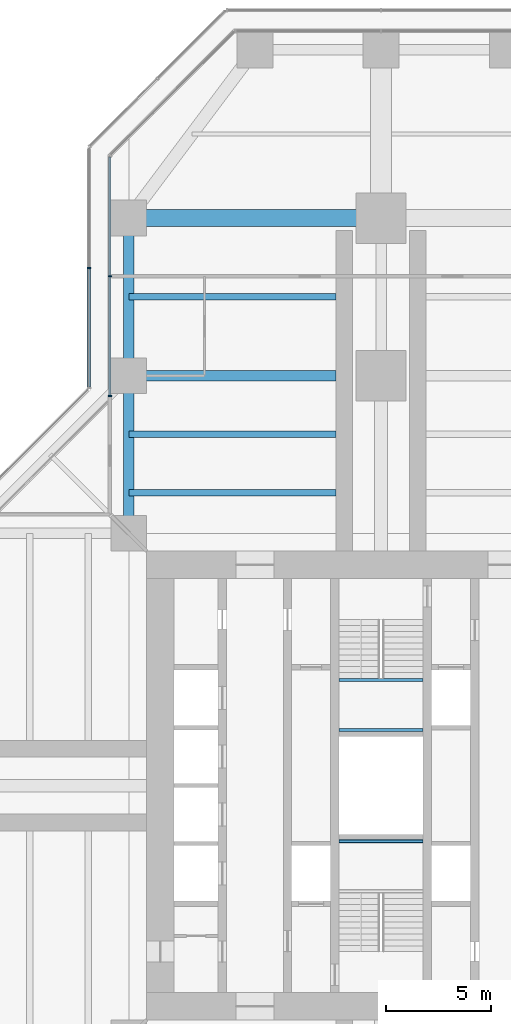
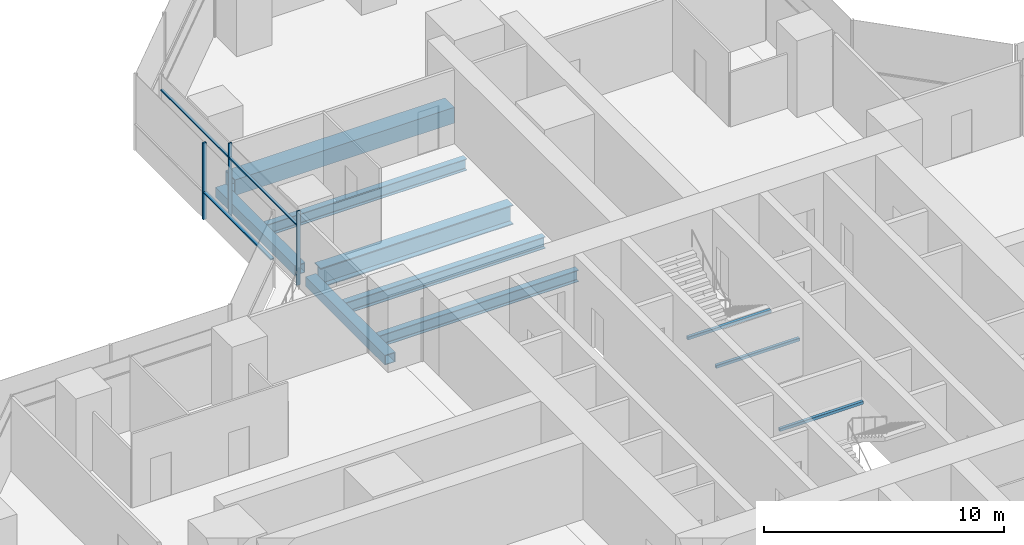
# One storey, part 9 of 22: 10 beams, 6 members, 2 elements without a shape of their own.
"""IFC4 building model written with IfcOpenShell, lengths in metres."""

from ifc_helpers import new_model, si_unit, direction, frame, origin, origin_2d, place, context, subcontext, project, spatial, rectangle, hollow_rectangle, i_section, extrude, material, material_profile, profile_set, type_object, element, aggregate, save


model = new_model("IFC4")

# Units and contexts
model_context = context("Model", 3, precision=1e-05, world=origin(), true_north=direction((0.0, 1.0)))
body_context = subcontext(model_context, "Body", "Model", "MODEL_VIEW")
ifc_project = project(units=[si_unit("LENGTHUNIT", "METRE"), si_unit("AREAUNIT", "SQUARE_METRE"), si_unit("VOLUMEUNIT", "CUBIC_METRE"), si_unit("PLANEANGLEUNIT", "RADIAN"), si_unit("MASSUNIT", "GRAM", prefix="KILO")], contexts=[model_context])

# Site, building, storey
site_placement = place(None, origin())
site = spatial("IfcSite", under=ifc_project, at=site_placement, CompositionType="ELEMENT")
building_placement = place(site_placement, origin())
building = spatial("IfcBuilding", under=site, at=building_placement, Name="Mizan Broadcast Tower", CompositionType="ELEMENT")
storey_placement = place(building_placement, frame((0.0, 0.0, 82.5)))
storey = spatial("IfcBuildingStorey", under=building, at=storey_placement, Name="L17", CompositionType="ELEMENT", Elevation=82.5)

# Beams
ifc_material_1 = material(Name="Steel S355", Category="steel")
ifc_material_profile_1 = material_profile(ifc_material_1, hollow_rectangle(XDim=0.5, YDim=0.5, WallThickness=0.030029296875, at=origin_2d()), Name="BOX 500x500x30")
ifc_profile_set_1 = profile_set([ifc_material_profile_1], Name="Steel S355")
beam_type_1 = type_object("IfcBeamType", Name="EDGE BEAM BOX 500x500x30", PredefinedType="SPANDREL", material=ifc_profile_set_1)
for number, where, z_axis, x_axis, name in (
    (1, (-12.0, 12.449951171875, -0.3798828125), (0.0, 1.0, 0.0), (-1.0, 0.0, 0.0), "Edge beam BOX 500x500x30 L17 north arm"),
    (2, (-12.0, 19.949951171875, -0.3798828125), (0.0, 1.0, 0.0), (-1.0, 0.0, 0.0), "Edge beam BOX 500x500x30 L17 north arm"),
):
    element("IfcBeam", number, at=place(storey_placement, frame(where, z_axis=z_axis, x_axis=x_axis)), inside=storey, type_object=beam_type_1, Name=name, PredefinedType="SPANDREL", context=body_context, shape_type="SweptSolid", body=[
        extrude(hollow_rectangle(XDim=0.5, YDim=0.5, WallThickness=0.030029296875, at=origin_2d()), origin(), (0.0, 0.0, 1.0), 6.60009765625),
    ])
ifc_material_2 = material(Name="Steel S460", Category="steel")
ifc_material_profile_2 = material_profile(ifc_material_2, hollow_rectangle(XDim=0.800048828125, YDim=0.800048828125, WallThickness=0.050048828125, at=origin_2d()), Name="BOX 800x800x50")
ifc_profile_set_2 = profile_set([ifc_material_profile_2], Name="Steel S460")
beam_type_2 = type_object("IfcBeamType", Name="GIRDER BOX 800x800x50", PredefinedType="BEAM", material=ifc_profile_set_2)
beam_1_placement = place(storey_placement, frame((-11.280029296875, 27.0, -0.530029296875), z_axis=(1.0, 0.0, 0.0), x_axis=(0.0, 1.0, 0.0)))
element("IfcBeam", 3, at=beam_1_placement, inside=storey, type_object=beam_type_2, Name="Girder BOX 800x800x50 L17 north arm", PredefinedType="BEAM", context=body_context, shape_type="SweptSolid", body=[
    extrude(hollow_rectangle(XDim=0.800048828125, YDim=0.800048828125, WallThickness=0.050048828125, at=origin_2d()), origin(), (0.0, 0.0, 1.0), 10.56005859375),
])
ifc_material_3 = material(Name="Steel S460", Category="steel")
ifc_material_profile_3 = material_profile(ifc_material_3, i_section(OverallWidth=0.5, OverallDepth=1.0, WebThickness=0.02490234375, FlangeThickness=0.050048828125, at=origin_2d()), Name="WPG 1000x500")
ifc_profile_set_3 = profile_set([ifc_material_profile_3], Name="Steel S460")
beam_type_3 = type_object("IfcBeamType", Name="GIRDER WPG 1000x500", PredefinedType="BEAM", material=ifc_profile_set_3)
beam_2_placement = place(storey_placement, frame((-11.408935546875, 19.5, -0.6298828125), z_axis=(1.0, 0.0, 0.0), x_axis=(0.0, 1.0, 0.0)))
element("IfcBeam", 4, at=beam_2_placement, inside=storey, type_object=beam_type_3, Name="Girder WPG 1000x500 L17 north arm", PredefinedType="BEAM", context=body_context, shape_type="SweptSolid", body=[
    extrude(i_section(OverallWidth=0.5, OverallDepth=1.0, WebThickness=0.02490234375, FlangeThickness=0.050048828125, at=origin_2d()), origin(), (0.0, 0.0, 1.0), 9.259033203125),
])

# Curtain wall, members
ifc_material_4 = material(Name="Aluminium framed glazing", Category="aluminium")
curtain_wall_type_1 = type_object("IfcCurtainWallType", Name="INNER SKIN LOW ZONE", PredefinedType="USERDEFINED", material=ifc_material_4)
curtain_wall_1_placement = place(storey_placement, origin())
curtain_wall_1 = element("IfcCurtainWall", 5, at=curtain_wall_1_placement, inside=storey, type_object=curtain_wall_type_1, Name="Inner skin low zone L17 N side", ObjectType="INNER SKIN LOW ZONE", PredefinedType="USERDEFINED")
ifc_material_5 = material(Name="Aluminium, pale anodised", Category="aluminium")
ifc_material_profile_4 = material_profile(ifc_material_5, rectangle(XDim=0.159912109375, YDim=0.06005859375, at=origin_2d()), Name="MULLION 160x60")
ifc_profile_set_4 = profile_set([ifc_material_profile_4], Name="Aluminium, pale anodised")
member_type_1 = type_object("IfcMemberType", Name="INNER SKIN MULLION 60x160", PredefinedType="MULLION", material=ifc_profile_set_4)
member_1_placement = place(storey_placement, frame((-12.89990234375, 24.229248046875, 0.0), z_axis=(0.0, 0.0, 1.0), x_axis=(1.0, 0.0, 0.0)))
member_1 = element("IfcMember", 6, at=member_1_placement, type_object=member_type_1, Name="Inner skin low zone L17 N side mullion 2", PredefinedType="MULLION", context=body_context, shape_type="SweptSolid", body=[
    extrude(rectangle(XDim=0.159912109375, YDim=0.06005859375, at=origin_2d()), origin(), (0.0, 0.0, 1.0), 3.77001953125),
])
member_2_placement = place(storey_placement, frame((-12.89990234375, 18.530029296875, 0.0), z_axis=(0.0, 0.0, 1.0), x_axis=(1.0, 0.0, 0.0)))
member_2 = element("IfcMember", 7, at=member_2_placement, type_object=member_type_1, Name="Inner skin low zone L17 N side mullion 3", PredefinedType="MULLION", context=body_context, shape_type="SweptSolid", body=[
    extrude(rectangle(XDim=0.159912109375, YDim=0.06005859375, at=origin_2d()), origin(), (0.0, 0.0, 1.0), 3.77001953125),
])
ifc_material_6 = material(Name="Aluminium, pale anodised", Category="aluminium")
ifc_material_profile_5 = material_profile(ifc_material_6, rectangle(XDim=0.1201171875, YDim=0.06005859375, at=origin_2d()), Name="TRANSOM 120x60")
ifc_profile_set_5 = profile_set([ifc_material_profile_5], Name="Aluminium, pale anodised")
member_type_2 = type_object("IfcMemberType", Name="INNER SKIN TRANSOM 60x120", PredefinedType="USERDEFINED", material=ifc_profile_set_5)
member_3_placement = place(storey_placement, frame((-12.89990234375, 29.898681640625, 3.030029296875), z_axis=(0.0, -1.0, 0.0), x_axis=(1.0, 0.0, 0.0)))
member_3 = element("IfcMember", 8, at=member_3_placement, type_object=member_type_2, Name="Inner skin low zone L17 N side transom 1.1", ObjectType="TRANSOM", PredefinedType="USERDEFINED", context=body_context, shape_type="SweptSolid", body=[
    extrude(rectangle(XDim=0.1201171875, YDim=0.06005859375, at=origin_2d()), origin(), (0.0, 0.0, 1.0), 5.639404296875),
])
member_4_placement = place(storey_placement, frame((-12.89990234375, 24.19921875, 3.030029296875), z_axis=(0.0, -1.0, 0.0), x_axis=(1.0, 0.0, 0.0)))
member_4 = element("IfcMember", 9, at=member_4_placement, type_object=member_type_2, Name="Inner skin low zone L17 N side transom 2.1", ObjectType="TRANSOM", PredefinedType="USERDEFINED", context=body_context, shape_type="SweptSolid", body=[
    extrude(rectangle(XDim=0.1201171875, YDim=0.06005859375, at=origin_2d()), origin(), (0.0, 0.0, 1.0), 5.63916015625),
])
aggregate(curtain_wall_1, [member_1, member_2, member_3, member_4])

# Beams
ifc_material_7 = material(Name="Steel S355", Category="steel")
ifc_material_profile_6 = material_profile(ifc_material_7, hollow_rectangle(XDim=0.14990234375, YDim=0.14990234375, WallThickness=0.008056640625, InnerFilletRadius=0.008056640625, OuterFilletRadius=0.011962890625, at=origin_2d()), Name="SHS 150x150x8")
ifc_profile_set_6 = profile_set([ifc_material_profile_6], Name="Steel S355")
beam_type_4 = type_object("IfcBeamType", Name="LANDING TRIMMER SHS 150x150x8", PredefinedType="BEAM", material=ifc_profile_set_6)
for number, where, z_axis, x_axis, name in (
    (10, (-2.0, -2.64990234375, 1.675048828125), (1.0, 0.0, 0.0), (0.0, 1.0, 0.0), "Stair A landing trimmer L17"),
    (11, (2.0, 5.02490234375, 1.675048828125), (-1.0, 0.0, 0.0), (0.0, -1.0, 0.0), "Stair B landing trimmer L17"),
    (12, (2.0, 2.64990234375, 1.675048828125), (-1.0, 0.0, 0.0), (0.0, -1.0, 0.0), "Stair B landing trimmer L17"),
):
    element("IfcBeam", number, at=place(storey_placement, frame(where, z_axis=z_axis, x_axis=x_axis)), inside=storey, type_object=beam_type_4, Name=name, PredefinedType="BEAM", context=body_context, shape_type="SweptSolid", body=[
        extrude(hollow_rectangle(XDim=0.14990234375, YDim=0.14990234375, WallThickness=0.008056640625, InnerFilletRadius=0.008056640625, OuterFilletRadius=0.011962890625, at=origin_2d()), origin(), (0.0, 0.0, 1.0), 4.0),
    ])

# Curtain wall, members
ifc_material_8 = material(Name="Aluminium framed glazing", Category="aluminium")
curtain_wall_type_2 = type_object("IfcCurtainWallType", Name="OUTER SKIN", PredefinedType="USERDEFINED", material=ifc_material_8)
curtain_wall_2_placement = place(storey_placement, origin())
curtain_wall_2 = element("IfcCurtainWall", 13, at=curtain_wall_2_placement, inside=storey, type_object=curtain_wall_type_2, Name="Outer skin L17 N side", ObjectType="OUTER SKIN", PredefinedType="USERDEFINED")
ifc_material_9 = material(Name="Aluminium, pale anodised", Category="aluminium")
ifc_material_profile_7 = material_profile(ifc_material_9, rectangle(XDim=0.159912109375, YDim=0.080078125, at=origin_2d()), Name="MULLION 160x80")
ifc_profile_set_7 = profile_set([ifc_material_profile_7], Name="Aluminium, pale anodised")
member_type_3 = type_object("IfcMemberType", Name="OUTER SKIN MULLION 80x160", PredefinedType="MULLION", material=ifc_profile_set_7)
member_5_placement = place(storey_placement, frame((-13.89990234375, 24.622802734375, 0.0), z_axis=(0.0, 0.0, 1.0), x_axis=(1.0, 0.0, 0.0)))
member_5 = element("IfcMember", 14, at=member_5_placement, type_object=member_type_3, Name="Outer skin L17 N side mullion 2", PredefinedType="MULLION", context=body_context, shape_type="SweptSolid", body=[
    extrude(rectangle(XDim=0.159912109375, YDim=0.080078125, at=origin_2d()), origin(), (0.0, 0.0, 1.0), 3.89990234375),
])
ifc_material_10 = material(Name="Aluminium, pale anodised", Category="aluminium")
ifc_material_profile_8 = material_profile(ifc_material_10, rectangle(XDim=0.159912109375, YDim=0.06005859375, at=origin_2d()), Name="TRANSOM 160x60")
ifc_profile_set_8 = profile_set([ifc_material_profile_8], Name="Aluminium, pale anodised")
member_type_4 = type_object("IfcMemberType", Name="OUTER SKIN TRANSOM 60x160", PredefinedType="USERDEFINED", material=ifc_profile_set_8)
member_6_placement = place(storey_placement, frame((-13.89990234375, 24.582763671875, 1.39990234375), z_axis=(0.0, -1.0, 0.0), x_axis=(1.0, 0.0, 0.0)))
member_6 = element("IfcMember", 15, at=member_6_placement, type_object=member_type_4, Name="Outer skin L17 N side transom 2.1", ObjectType="TRANSOM", PredefinedType="USERDEFINED", context=body_context, shape_type="SweptSolid", body=[
    extrude(rectangle(XDim=0.159912109375, YDim=0.06005859375, at=origin_2d()), origin(), (0.0, 0.0, 1.0), 5.6298828125),
])
aggregate(curtain_wall_2, [member_5, member_6])

# Beams
ifc_material_11 = material(Name="Steel S355", Category="steel")
ifc_material_profile_9 = material_profile(ifc_material_11, i_section(OverallWidth=0.300048828125, OverallDepth=0.590087890625, WebThickness=0.012939453125, FlangeThickness=0.02490234375, FilletRadius=0.027099609375, at=origin_2d()), Name="HEA 600")
ifc_profile_set_9 = profile_set([ifc_material_profile_9], Name="Steel S355")
beam_type_5 = type_object("IfcBeamType", Name="SECONDARY BEAM HEA 600", PredefinedType="JOIST", material=ifc_profile_set_9)
for number, where, z_axis, x_axis, name in (
    (16, (-12.0, 13.933349609375, -0.425048828125), (1.0, 0.0, 0.0), (0.0, 1.0, 0.0), "Secondary beam HEA 600 L17 north arm"),
    (17, (-12.0, 16.716552734375, -0.425048828125), (1.0, 0.0, 0.0), (0.0, 1.0, 0.0), "Secondary beam HEA 600 L17 north arm"),
    (18, (-12.0, 23.25, -0.425048828125), (1.0, 0.0, 0.0), (0.0, 1.0, 0.0), "Secondary beam HEA 600 L17 north arm"),
):
    element("IfcBeam", number, at=place(storey_placement, frame(where, z_axis=z_axis, x_axis=x_axis)), inside=storey, type_object=beam_type_5, Name=name, PredefinedType="JOIST", context=body_context, shape_type="SweptSolid", body=[
        extrude(i_section(OverallWidth=0.300048828125, OverallDepth=0.590087890625, WebThickness=0.012939453125, FlangeThickness=0.02490234375, FilletRadius=0.027099609375, at=origin_2d()), origin(), (0.0, 0.0, 1.0), 9.85009765625),
    ])

save(model, "model.ifc")
